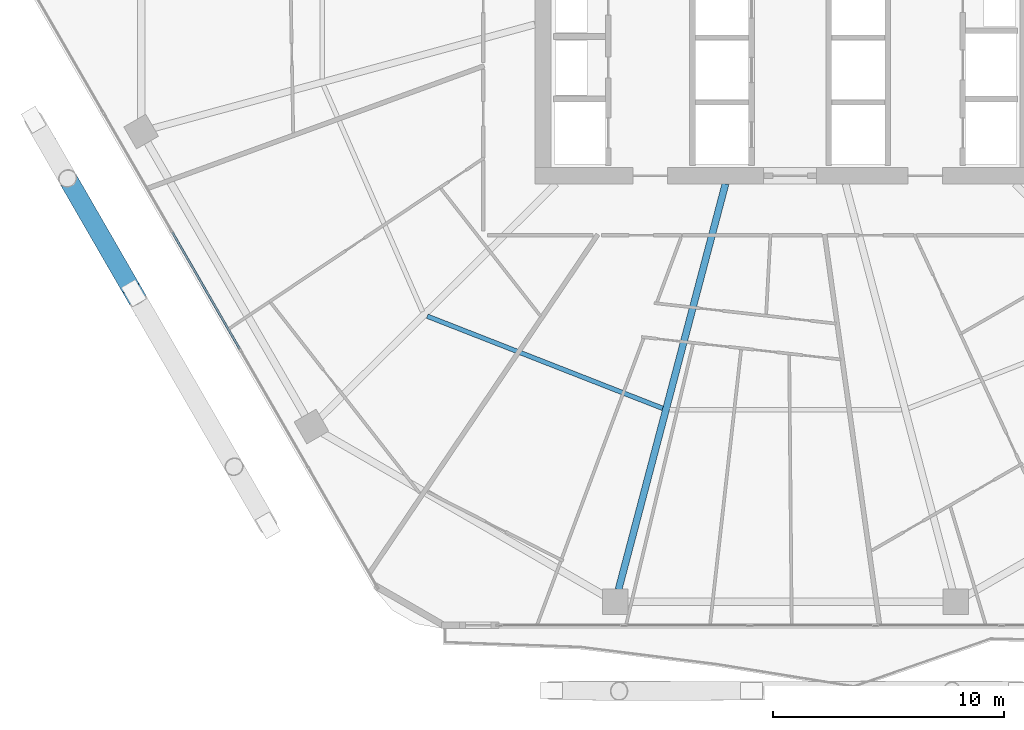
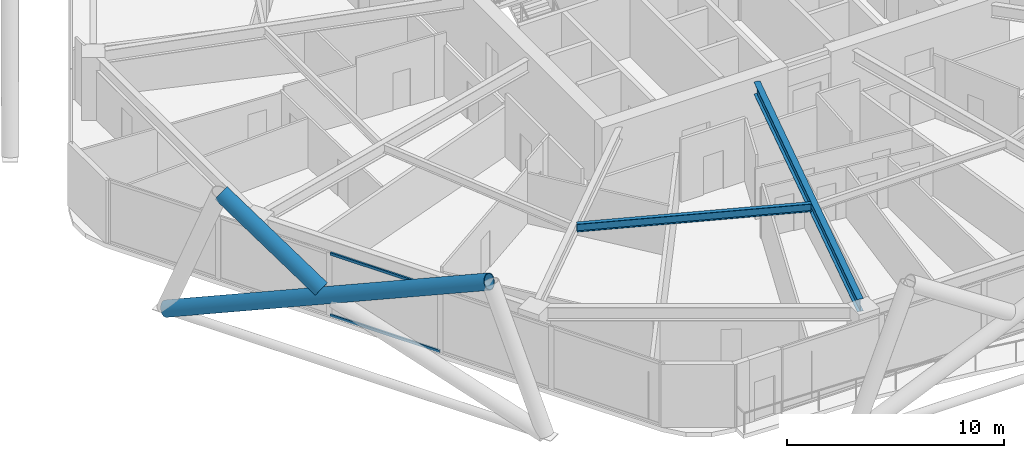
# One storey, part 5 of 35: 4 members, 2 beams, 1 element without a shape of its own.
"""IFC4 building model written with IfcOpenShell, lengths in metres."""

from ifc_helpers import new_model, si_unit, direction, frame, origin, origin_2d, place, context, subcontext, project, spatial, hollow_rectangle, hollow_circle, i_section, extrude, material, material_profile, profile_set, type_object, element, aggregate, save


model = new_model("IFC4")

# Units and contexts
model_context = context("Model", 3, precision=1e-05, world=origin(), true_north=direction((0.0, 1.0)))
body_context = subcontext(model_context, "Body", "Model", "MODEL_VIEW")
ifc_project = project(units=[si_unit("LENGTHUNIT", "METRE"), si_unit("AREAUNIT", "SQUARE_METRE"), si_unit("VOLUMEUNIT", "CUBIC_METRE"), si_unit("PLANEANGLEUNIT", "RADIAN"), si_unit("MASSUNIT", "GRAM", prefix="KILO")], contexts=[model_context])

# Site, building, storey
site_placement = place(None, origin())
site = spatial("IfcSite", under=ifc_project, at=site_placement, CompositionType="ELEMENT")
building_placement = place(site_placement, origin())
building = spatial("IfcBuilding", under=site, at=building_placement, Name="Zuhravey Tower", CompositionType="ELEMENT")
storey_placement = place(building_placement, frame((0.0, 0.0, 92.39990234375)))
storey = spatial("IfcBuildingStorey", under=building, at=storey_placement, Name="L22", CompositionType="ELEMENT", Elevation=92.39990234375)

# Curtain wall, members
ifc_material_1 = material(Name="Thermally broken anodised aluminium", Category="aluminium")
curtain_wall_type = type_object("IfcCurtainWallType", Name="Zone 1-2 Residential Curtain Wall CW3", PredefinedType="NOTDEFINED", material=ifc_material_1)
curtain_wall_placement = place(storey_placement, origin())
curtain_wall = element("IfcCurtainWall", 1, at=curtain_wall_placement, inside=storey, type_object=curtain_wall_type, Name="L22 CW3 CW-L22-F4-1", PredefinedType="NOTDEFINED")
ifc_material_2 = material(Name="Anodised aluminium", Category="aluminium")
ifc_material_profile_1 = material_profile(ifc_material_2, hollow_rectangle(XDim=0.090087890625, YDim=0.14990234375, WallThickness=0.0048828125, at=origin_2d()), Name="ALU-RHS-90x150x5")
ifc_profile_set_1 = profile_set([ifc_material_profile_1], Name="Anodised aluminium")
member_type_1 = type_object("IfcMemberType", Name="Curtain-Wall Transom 90x150", PredefinedType="USERDEFINED", material=ifc_profile_set_1)
member_1_placement = place(storey_placement, frame((12.378662109375, 14.996337890625, 0.045166015625), z_axis=(-0.499981042766, 0.866036348472, 0.0), x_axis=(-0.866036348472, -0.499981042766, 0.0)))
member_1 = element("IfcMember", 2, at=member_1_placement, type_object=member_type_1, Name="CW3 transom 3.1", ObjectType="TRANSOM", PredefinedType="USERDEFINED", context=body_context, shape_type="SweptSolid", body=[
    extrude(hollow_rectangle(XDim=0.090087890625, YDim=0.14990234375, WallThickness=0.0048828125, at=origin_2d()), origin(), (0.0, 0.0, 1.0), 5.829833984375),
])
member_2_placement = place(storey_placement, frame((12.378662109375, 14.996337890625, 3.505126953125), z_axis=(-0.499981042766, 0.866036348472, 0.0), x_axis=(-0.866036348472, -0.499981042766, 0.0)))
member_2 = element("IfcMember", 3, at=member_2_placement, type_object=member_type_1, Name="CW3 transom 3.2", ObjectType="TRANSOM", PredefinedType="USERDEFINED", context=body_context, shape_type="SweptSolid", body=[
    extrude(hollow_rectangle(XDim=0.090087890625, YDim=0.14990234375, WallThickness=0.0048828125, at=origin_2d()), origin(), (0.0, 0.0, 1.0), 5.829833984375),
])
aggregate(curtain_wall, [member_1, member_2])

# Members
ifc_material_3 = material(Name="Steel SM460", Category="steel")
ifc_material_profile_2 = material_profile(ifc_material_3, hollow_circle(Radius=0.406494140625, WallThickness=0.035888671875, at=origin_2d()), Name="CHS-812.8x36")
ifc_profile_set_2 = profile_set([ifc_material_profile_2], Name="Steel SM460")
member_type_2 = type_object("IfcMemberType", Name="Exoskeleton Zone 1 Diagrid CHS813x36", PredefinedType="BRACE", material=ifc_profile_set_2)
member_3_placement = place(storey_placement, frame((3.48779296875, 24.8759765625, -0.44189453125), z_axis=(0.457899571463, -0.793119897067, 0.401607782957), x_axis=(0.866029382339, 0.499993108878, 0.0)))
element("IfcMember", 4, at=member_3_placement, inside=storey, type_object=member_type_2, Name="L22 Face 4 Diagrid Brace 2", PredefinedType="BRACE", context=body_context, shape_type="SweptSolid", body=[
    extrude(hollow_circle(Radius=0.406494140625, WallThickness=0.035888671875, at=origin_2d()), origin(), (0.0, 0.0, 1.0), 18.814208984375),
])
member_4_placement = place(storey_placement, frame((7.630126953125, 17.701171875, 3.555419921875), z_axis=(-0.416513083029, 0.721451330682, 0.553195109453), x_axis=(-0.866034259299, -0.499984661485, 0.0)))
element("IfcMember", 5, at=member_4_placement, inside=storey, type_object=member_type_2, Name="L22 Face 4 Split Diagrid Brace 3B", PredefinedType="BRACE", context=body_context, shape_type="SweptSolid", body=[
    extrude(hollow_circle(Radius=0.406494140625, WallThickness=0.035888671875, at=origin_2d()), origin(), (0.0, 0.0, 1.0), 6.417724609375),
])

# Beams
ifc_material_4 = material(Name="Steel SM355", Category="steel")
ifc_material_profile_3 = material_profile(ifc_material_4, i_section(OverallWidth=0.300048828125, OverallDepth=0.699951171875, WebThickness=0.012939453125, FlangeThickness=0.02392578125, at=origin_2d()), Name="H-700x300x13x24")
ifc_profile_set_3 = profile_set([ifc_material_profile_3], Name="Steel SM355")
beam_type_1 = type_object("IfcBeamType", Name="Radial Primary Girder H700x300", PredefinedType="BEAM", material=ifc_profile_set_3)
beam_1_placement = place(storey_placement, frame((33.40185546875, 22.14697265625, 3.2001953125), z_axis=(-0.25498755891, -0.966944333869, 0.0), x_axis=(0.966944333869, -0.25498755891, 0.0)))
element("IfcBeam", 6, at=beam_1_placement, inside=storey, type_object=beam_type_1, Name="L22 RG1 BM-L22-RAD-09", PredefinedType="BEAM", context=body_context, shape_type="SweptSolid", body=[
    extrude(i_section(OverallWidth=0.300048828125, OverallDepth=0.699951171875, WebThickness=0.012939453125, FlangeThickness=0.02392578125, at=origin_2d()), origin(), (0.0, 0.0, 1.0), 18.1611328125),
])
ifc_material_profile_4 = material_profile(ifc_material_4, i_section(OverallWidth=0.199951171875, OverallDepth=0.449951171875, WebThickness=0.009033203125, FlangeThickness=0.013916015625, at=origin_2d()), Name="H-450x200x9x14")
ifc_profile_set_4 = profile_set([ifc_material_profile_4], Name="Steel SM355")
beam_type_2 = type_object("IfcBeamType", Name="Secondary Floor Joist H450x200", PredefinedType="JOIST", material=ifc_profile_set_4)
beam_2_placement = place(storey_placement, frame((20.49462890625, 16.418701171875, 3.3251953125), z_axis=(0.931216764731, -0.364465824302, 0.0), x_axis=(0.364465824302, 0.931216764731, 0.0)))
element("IfcBeam", 7, at=beam_2_placement, inside=storey, type_object=beam_type_2, Name="L22 SJ1 BM-L22-SJ-08-1", PredefinedType="JOIST", context=body_context, shape_type="SweptSolid", body=[
    extrude(i_section(OverallWidth=0.199951171875, OverallDepth=0.449951171875, WebThickness=0.009033203125, FlangeThickness=0.013916015625, at=origin_2d()), origin(), (0.0, 0.0, 1.0), 10.939453125),
])

save(model, "model.ifc")
